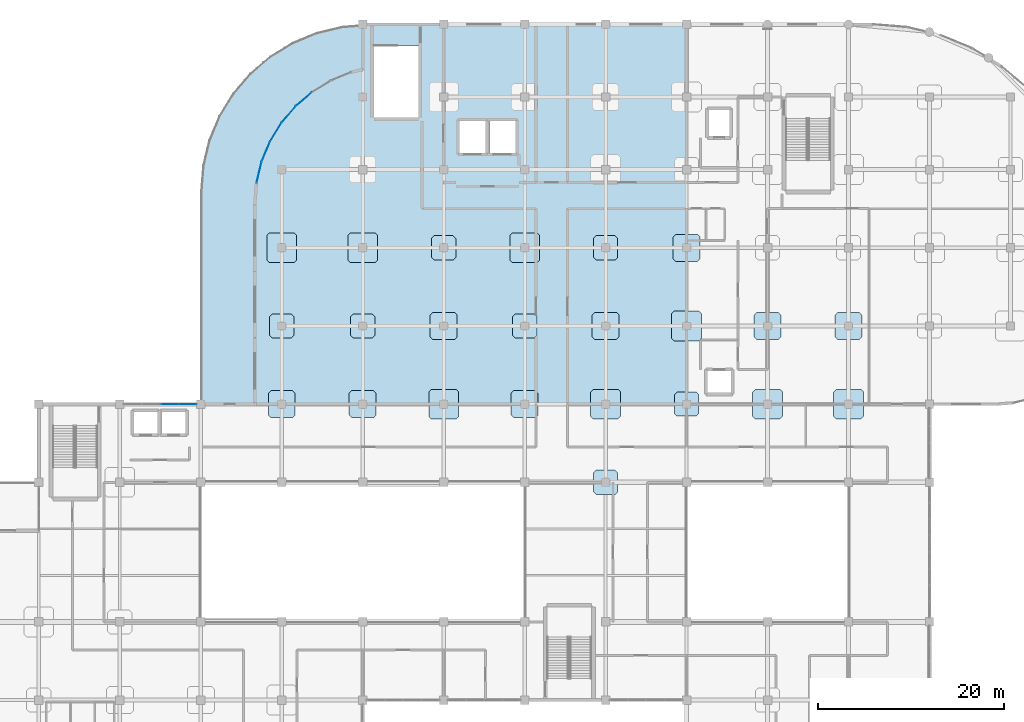
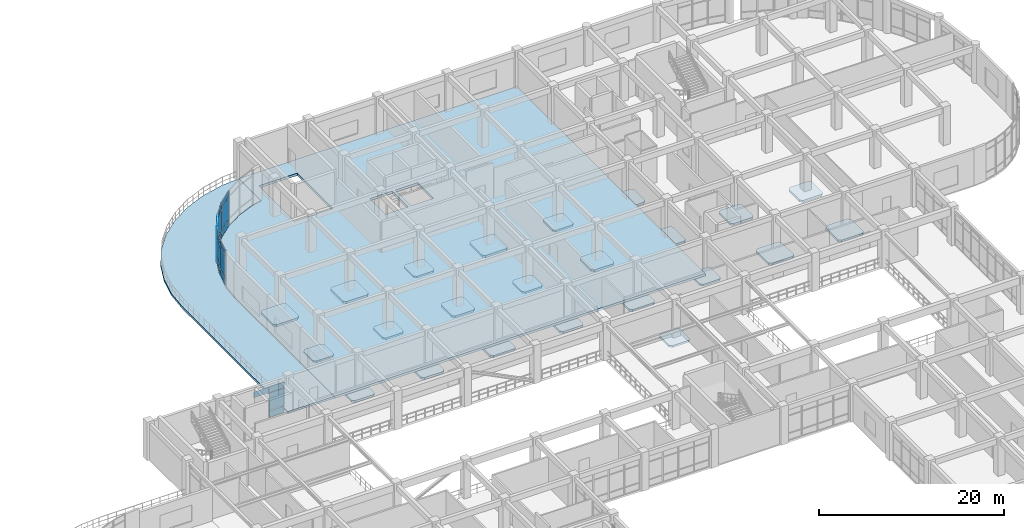
# One storey, part 92 of 120: 25 slabs, 19 plates, 6 elements without a shape of their own.
"""IFC4 building model written with IfcOpenShell, lengths in metres."""

from ifc_helpers import new_model, si_unit, derived_unit, direction, frame, origin, origin_2d, place, context, subcontext, project, spatial, polyline, rectangle, outline, extrude, material, layer, layer_set, type_object, element, aggregate, save


model = new_model("IFC4")

# Units and contexts
model_context = context("Model", 3, precision=1e-05, world=origin(), true_north=direction((0.0, 1.0)))
body_context = subcontext(model_context, "Body", "Model", "MODEL_VIEW")
ifc_project = project(units=[si_unit("LENGTHUNIT", "METRE"), si_unit("AREAUNIT", "SQUARE_METRE"), si_unit("VOLUMEUNIT", "CUBIC_METRE"), si_unit("PLANEANGLEUNIT", "RADIAN"), si_unit("MASSUNIT", "GRAM", prefix="KILO"), derived_unit("THERMALTRANSMITTANCEUNIT", [(si_unit("MASSUNIT", "GRAM", prefix="KILO"), 1), (si_unit("TIMEUNIT", "SECOND"), -3), (si_unit("THERMODYNAMICTEMPERATUREUNIT", "KELVIN"), -1)])], contexts=[model_context])

# Site, building, storey
site_placement = place(None, origin())
site = spatial("IfcSite", under=ifc_project, at=site_placement, CompositionType="ELEMENT")
building_placement = place(site_placement, origin())
building = spatial("IfcBuilding", under=site, at=building_placement, Name="Qinzheling Arcade Emporium", CompositionType="ELEMENT")
storey_placement = place(building_placement, frame((0.0, 0.0, 11.39990234375)))
storey = spatial("IfcBuildingStorey", under=building, at=storey_placement, Name="L03", CompositionType="ELEMENT", Elevation=11.39990234375)

# Slabs
ifc_material_1 = material(Name="Concrete C40", Category="concrete")
ifc_layer_1 = layer(ifc_material_1, 0.235107421875, Name="Concrete C40", Category="concrete")
ifc_layer_set_1 = layer_set([ifc_layer_1], Name="Concrete C40")
slab_type_1 = type_object("IfcSlabType", Name="Column Head Drop Panel 2600x2600x235 C40", PredefinedType="USERDEFINED", material=ifc_layer_set_1)
slab_1_placement = place(storey_placement, frame((0.0, 0.0, -0.544921875)))
element("IfcSlab", 1, at=slab_1_placement, inside=storey, type_object=slab_type_1, Name="Column Drop Panel DP-L03-10-L", ObjectType="DROP_PANEL", PredefinedType="USERDEFINED", context=body_context, shape_type="SweptSolid", body=[
    extrude(outline(polyline([(77.280029296875, 89.300048828125), (79.320068359375, 89.300048828125), (79.60009765625, 89.580078125), (79.60009765625, 91.6201171875), (79.320068359375, 91.89990234375), (77.280029296875, 91.89990234375), (77.0, 91.6201171875), (77.0, 89.580078125), (77.280029296875, 89.300048828125)])), origin(), (0.0, 0.0, 1.0), 0.235107421875),
])
slab_2_placement = place(storey_placement, frame((0.0, 0.0, -0.544921875)))
element("IfcSlab", 2, at=slab_2_placement, inside=storey, type_object=slab_type_1, Name="Column Drop Panel DP-L03-11-K", ObjectType="DROP_PANEL", PredefinedType="USERDEFINED", context=body_context, shape_type="SweptSolid", body=[
    extrude(outline(polyline([(85.97998046875, 80.89990234375), (88.02001953125, 80.89990234375), (88.300048828125, 81.179931640625), (88.300048828125, 83.219970703125), (88.02001953125, 83.5), (85.97998046875, 83.5), (85.699951171875, 83.219970703125), (85.699951171875, 81.179931640625), (85.97998046875, 80.89990234375)])), origin(), (0.0, 0.0, 1.0), 0.235107421875),
])
slab_3_placement = place(storey_placement, frame((0.0, 0.0, -0.514892578125)))
element("IfcSlab", 3, at=slab_3_placement, inside=storey, type_object=slab_type_1, Name="Column Drop Panel DP-L03-12-H", ObjectType="DROP_PANEL", PredefinedType="USERDEFINED", context=body_context, shape_type="SweptSolid", body=[
    extrude(outline(polyline([(94.679931640625, 64.10009765625), (96.719970703125, 64.10009765625), (97.0, 64.3798828125), (97.0, 66.419921875), (96.719970703125, 66.699951171875), (94.679931640625, 66.699951171875), (94.39990234375, 66.419921875), (94.39990234375, 64.3798828125), (94.679931640625, 64.10009765625)])), origin(), (0.0, 0.0, 1.0), 0.235107421875),
])
slab_4_placement = place(storey_placement, frame((0.0, 0.0, -0.544921875)))
element("IfcSlab", 4, at=slab_4_placement, inside=storey, type_object=slab_type_1, Name="Column Drop Panel DP-L03-12-L", ObjectType="DROP_PANEL", PredefinedType="USERDEFINED", context=body_context, shape_type="SweptSolid", body=[
    extrude(outline(polyline([(94.679931640625, 89.300048828125), (96.719970703125, 89.300048828125), (97.0, 89.580078125), (97.0, 91.6201171875), (96.719970703125, 91.89990234375), (94.679931640625, 91.89990234375), (94.39990234375, 91.6201171875), (94.39990234375, 89.580078125), (94.679931640625, 89.300048828125)])), origin(), (0.0, 0.0, 1.0), 0.235107421875),
])
slab_5_placement = place(storey_placement, frame((0.0, 0.0, -0.544921875)))
element("IfcSlab", 5, at=slab_5_placement, inside=storey, type_object=slab_type_1, Name="Column Drop Panel DP-L03-13-J", ObjectType="DROP_PANEL", PredefinedType="USERDEFINED", context=body_context, shape_type="SweptSolid", body=[
    extrude(outline(polyline([(103.3798828125, 72.5), (105.419921875, 72.5), (105.699951171875, 72.780029296875), (105.699951171875, 74.820068359375), (105.419921875, 75.10009765625), (103.3798828125, 75.10009765625), (103.10009765625, 74.820068359375), (103.10009765625, 72.780029296875), (103.3798828125, 72.5)])), origin(), (0.0, 0.0, 1.0), 0.235107421875),
])
slab_6_placement = place(storey_placement, frame((0.0, 0.0, -0.544921875)))
element("IfcSlab", 6, at=slab_6_placement, inside=storey, type_object=slab_type_1, Name="Column Drop Panel DP-L03-8-K", ObjectType="DROP_PANEL", PredefinedType="USERDEFINED", context=body_context, shape_type="SweptSolid", body=[
    extrude(outline(polyline([(59.8798828125, 80.89990234375), (61.919921875, 80.89990234375), (62.199951171875, 81.179931640625), (62.199951171875, 83.219970703125), (61.919921875, 83.5), (59.8798828125, 83.5), (59.60009765625, 83.219970703125), (59.60009765625, 81.179931640625), (59.8798828125, 80.89990234375)])), origin(), (0.0, 0.0, 1.0), 0.235107421875),
])
slab_7_placement = place(storey_placement, frame((0.0, 0.0, -0.544921875)))
element("IfcSlab", 7, at=slab_7_placement, inside=storey, type_object=slab_type_1, Name="Column Drop Panel DP-L03-9-K", ObjectType="DROP_PANEL", PredefinedType="USERDEFINED", context=body_context, shape_type="SweptSolid", body=[
    extrude(outline(polyline([(68.580078125, 80.89990234375), (70.6201171875, 80.89990234375), (70.89990234375, 81.179931640625), (70.89990234375, 83.219970703125), (70.6201171875, 83.5), (68.580078125, 83.5), (68.300048828125, 83.219970703125), (68.300048828125, 81.179931640625), (68.580078125, 80.89990234375)])), origin(), (0.0, 0.0, 1.0), 0.235107421875),
])
ifc_layer_2 = layer(ifc_material_1, 0.27001953125, Name="Concrete C40", Category="concrete")
ifc_layer_set_2 = layer_set([ifc_layer_2], Name="Concrete C40")
slab_type_2 = type_object("IfcSlabType", Name="Column Head Drop Panel 2900x2900x270 C40", PredefinedType="USERDEFINED", material=ifc_layer_set_2)
slab_8_placement = place(storey_placement, frame((0.0, 0.0, -0.579833984375)))
element("IfcSlab", 8, at=slab_8_placement, inside=storey, type_object=slab_type_2, Name="Column Drop Panel DP-L03-10-K", ObjectType="DROP_PANEL", PredefinedType="USERDEFINED", context=body_context, shape_type="SweptSolid", body=[
    extrude(outline(polyline([(77.1298828125, 80.75), (79.469970703125, 80.75), (79.75, 81.030029296875), (79.75, 83.3701171875), (79.469970703125, 83.64990234375), (77.1298828125, 83.64990234375), (76.85009765625, 83.3701171875), (76.85009765625, 81.030029296875), (77.1298828125, 80.75)])), origin(), (0.0, 0.0, 1.0), 0.27001953125),
])
slab_9_placement = place(storey_placement, frame((0.0, 0.0, -0.579833984375)))
element("IfcSlab", 9, at=slab_9_placement, inside=storey, type_object=slab_type_2, Name="Column Drop Panel DP-L03-11-J", ObjectType="DROP_PANEL", PredefinedType="USERDEFINED", context=body_context, shape_type="SweptSolid", body=[
    extrude(outline(polyline([(85.830078125, 72.35009765625), (88.169921875, 72.35009765625), (88.449951171875, 72.6298828125), (88.449951171875, 74.969970703125), (88.169921875, 75.25), (85.830078125, 75.25), (85.550048828125, 74.969970703125), (85.550048828125, 72.6298828125), (85.830078125, 72.35009765625)])), origin(), (0.0, 0.0, 1.0), 0.27001953125),
])
slab_10_placement = place(storey_placement, frame((0.0, 0.0, -0.579833984375)))
element("IfcSlab", 10, at=slab_10_placement, inside=storey, type_object=slab_type_2, Name="Column Drop Panel DP-L03-12-K", ObjectType="DROP_PANEL", PredefinedType="USERDEFINED", context=body_context, shape_type="SweptSolid", body=[
    extrude(outline(polyline([(94.530029296875, 80.75), (96.8701171875, 80.75), (97.14990234375, 81.030029296875), (97.14990234375, 83.3701171875), (96.8701171875, 83.64990234375), (94.530029296875, 83.64990234375), (94.25, 83.3701171875), (94.25, 81.030029296875), (94.530029296875, 80.75)])), origin(), (0.0, 0.0, 1.0), 0.27001953125),
])
slab_11_placement = place(storey_placement, frame((0.0, 0.0, -0.579833984375)))
element("IfcSlab", 11, at=slab_11_placement, inside=storey, type_object=slab_type_2, Name="Column Drop Panel DP-L03-13-L", ObjectType="DROP_PANEL", PredefinedType="USERDEFINED", context=body_context, shape_type="SweptSolid", body=[
    extrude(outline(polyline([(103.22998046875, 89.14990234375), (105.570068359375, 89.14990234375), (105.85009765625, 89.429931640625), (105.85009765625, 91.77001953125), (105.570068359375, 92.050048828125), (103.22998046875, 92.050048828125), (102.949951171875, 91.77001953125), (102.949951171875, 89.429931640625), (103.22998046875, 89.14990234375)])), origin(), (0.0, 0.0, 1.0), 0.27001953125),
])
slab_12_placement = place(storey_placement, frame((0.0, 0.0, -0.534912109375)))
element("IfcSlab", 12, at=slab_12_placement, inside=storey, type_object=slab_type_2, Name="Column Drop Panel DP-L03-14-K", ObjectType="DROP_PANEL", PredefinedType="USERDEFINED", context=body_context, shape_type="SweptSolid", body=[
    extrude(outline(polyline([(111.929931640625, 80.75), (114.27001953125, 80.75), (114.550048828125, 81.030029296875), (114.550048828125, 83.3701171875), (114.27001953125, 83.64990234375), (111.929931640625, 83.64990234375), (111.64990234375, 83.3701171875), (111.64990234375, 81.030029296875), (111.929931640625, 80.75)])), origin(), (0.0, 0.0, 1.0), 0.27001953125),
])
slab_13_placement = place(storey_placement, frame((0.0, 0.0, -0.534912109375)))
element("IfcSlab", 13, at=slab_13_placement, inside=storey, type_object=slab_type_2, Name="Column Drop Panel DP-L03-15-K", ObjectType="DROP_PANEL", PredefinedType="USERDEFINED", context=body_context, shape_type="SweptSolid", body=[
    extrude(outline(polyline([(120.6298828125, 80.75), (122.969970703125, 80.75), (123.25, 81.030029296875), (123.25, 83.3701171875), (122.969970703125, 83.64990234375), (120.6298828125, 83.64990234375), (120.35009765625, 83.3701171875), (120.35009765625, 81.030029296875), (120.6298828125, 80.75)])), origin(), (0.0, 0.0, 1.0), 0.27001953125),
])
slab_14_placement = place(storey_placement, frame((0.0, 0.0, -0.579833984375)))
element("IfcSlab", 14, at=slab_14_placement, inside=storey, type_object=slab_type_2, Name="Column Drop Panel DP-L03-8-J", ObjectType="DROP_PANEL", PredefinedType="USERDEFINED", context=body_context, shape_type="SweptSolid", body=[
    extrude(outline(polyline([(59.72998046875, 72.35009765625), (62.070068359375, 72.35009765625), (62.35009765625, 72.6298828125), (62.35009765625, 74.969970703125), (62.070068359375, 75.25), (59.72998046875, 75.25), (59.449951171875, 74.969970703125), (59.449951171875, 72.6298828125), (59.72998046875, 72.35009765625)])), origin(), (0.0, 0.0, 1.0), 0.27001953125),
])
slab_15_placement = place(storey_placement, frame((0.0, 0.0, -0.579833984375)))
element("IfcSlab", 15, at=slab_15_placement, inside=storey, type_object=slab_type_2, Name="Column Drop Panel DP-L03-9-J", ObjectType="DROP_PANEL", PredefinedType="USERDEFINED", context=body_context, shape_type="SweptSolid", body=[
    extrude(outline(polyline([(68.429931640625, 72.35009765625), (70.77001953125, 72.35009765625), (71.050048828125, 72.6298828125), (71.050048828125, 74.969970703125), (70.77001953125, 75.25), (68.429931640625, 75.25), (68.14990234375, 74.969970703125), (68.14990234375, 72.6298828125), (68.429931640625, 72.35009765625)])), origin(), (0.0, 0.0, 1.0), 0.27001953125),
])
ifc_layer_3 = layer(ifc_material_1, 0.300048828125, Name="Concrete C40", Category="concrete")
ifc_layer_set_3 = layer_set([ifc_layer_3], Name="Concrete C40")
slab_type_3 = type_object("IfcSlabType", Name="Column Head Drop Panel 3200x3200x300 C40", PredefinedType="USERDEFINED", material=ifc_layer_set_3)
slab_16_placement = place(storey_placement, frame((0.0, 0.0, -0.60986328125)))
element("IfcSlab", 16, at=slab_16_placement, inside=storey, type_object=slab_type_3, Name="Column Drop Panel DP-L03-10-J", ObjectType="DROP_PANEL", PredefinedType="USERDEFINED", context=body_context, shape_type="SweptSolid", body=[
    extrude(outline(polyline([(76.97998046875, 72.199951171875), (79.6201171875, 72.199951171875), (79.89990234375, 72.47998046875), (79.89990234375, 75.1201171875), (79.6201171875, 75.39990234375), (76.97998046875, 75.39990234375), (76.699951171875, 75.1201171875), (76.699951171875, 72.47998046875), (76.97998046875, 72.199951171875)])), origin(), (0.0, 0.0, 1.0), 0.300048828125),
])
slab_17_placement = place(storey_placement, frame((0.0, 0.0, -0.60986328125)))
element("IfcSlab", 17, at=slab_17_placement, inside=storey, type_object=slab_type_3, Name="Column Drop Panel DP-L03-11-L", ObjectType="DROP_PANEL", PredefinedType="USERDEFINED", context=body_context, shape_type="SweptSolid", body=[
    extrude(outline(polyline([(85.679931640625, 89.0), (88.320068359375, 89.0), (88.60009765625, 89.280029296875), (88.60009765625, 91.919921875), (88.320068359375, 92.199951171875), (85.679931640625, 92.199951171875), (85.39990234375, 91.919921875), (85.39990234375, 89.280029296875), (85.679931640625, 89.0)])), origin(), (0.0, 0.0, 1.0), 0.300048828125),
])
slab_18_placement = place(storey_placement, frame((0.0, 0.0, -0.60986328125)))
element("IfcSlab", 18, at=slab_18_placement, inside=storey, type_object=slab_type_3, Name="Column Drop Panel DP-L03-12-J", ObjectType="DROP_PANEL", PredefinedType="USERDEFINED", context=body_context, shape_type="SweptSolid", body=[
    extrude(outline(polyline([(94.3798828125, 72.199951171875), (97.02001953125, 72.199951171875), (97.300048828125, 72.47998046875), (97.300048828125, 75.1201171875), (97.02001953125, 75.39990234375), (94.3798828125, 75.39990234375), (94.10009765625, 75.1201171875), (94.10009765625, 72.47998046875), (94.3798828125, 72.199951171875)])), origin(), (0.0, 0.0, 1.0), 0.300048828125),
])
slab_19_placement = place(storey_placement, frame((0.0, 0.0, -0.60986328125)))
element("IfcSlab", 19, at=slab_19_placement, inside=storey, type_object=slab_type_3, Name="Column Drop Panel DP-L03-13-K", ObjectType="DROP_PANEL", PredefinedType="USERDEFINED", context=body_context, shape_type="SweptSolid", body=[
    extrude(outline(polyline([(103.080078125, 80.60009765625), (105.719970703125, 80.60009765625), (106.0, 80.8798828125), (106.0, 83.52001953125), (105.719970703125, 83.800048828125), (103.080078125, 83.800048828125), (102.800048828125, 83.52001953125), (102.800048828125, 80.8798828125), (103.080078125, 80.60009765625)])), origin(), (0.0, 0.0, 1.0), 0.300048828125),
])
slab_20_placement = place(storey_placement, frame((0.0, 0.0, -0.579833984375)))
element("IfcSlab", 20, at=slab_20_placement, inside=storey, type_object=slab_type_3, Name="Column Drop Panel DP-L03-14-J", ObjectType="DROP_PANEL", PredefinedType="USERDEFINED", context=body_context, shape_type="SweptSolid", body=[
    extrude(outline(polyline([(111.780029296875, 72.199951171875), (114.419921875, 72.199951171875), (114.699951171875, 72.47998046875), (114.699951171875, 75.1201171875), (114.419921875, 75.39990234375), (111.780029296875, 75.39990234375), (111.5, 75.1201171875), (111.5, 72.47998046875), (111.780029296875, 72.199951171875)])), origin(), (0.0, 0.0, 1.0), 0.300048828125),
])
slab_21_placement = place(storey_placement, frame((0.0, 0.0, -0.579833984375)))
element("IfcSlab", 21, at=slab_21_placement, inside=storey, type_object=slab_type_3, Name="Column Drop Panel DP-L03-15-J", ObjectType="DROP_PANEL", PredefinedType="USERDEFINED", context=body_context, shape_type="SweptSolid", body=[
    extrude(outline(polyline([(120.47998046875, 72.199951171875), (123.1201171875, 72.199951171875), (123.39990234375, 72.47998046875), (123.39990234375, 75.1201171875), (123.1201171875, 75.39990234375), (120.47998046875, 75.39990234375), (120.199951171875, 75.1201171875), (120.199951171875, 72.47998046875), (120.47998046875, 72.199951171875)])), origin(), (0.0, 0.0, 1.0), 0.300048828125),
])
slab_22_placement = place(storey_placement, frame((0.0, 0.0, -0.60986328125)))
element("IfcSlab", 22, at=slab_22_placement, inside=storey, type_object=slab_type_3, Name="Column Drop Panel DP-L03-8-L", ObjectType="DROP_PANEL", PredefinedType="USERDEFINED", context=body_context, shape_type="SweptSolid", body=[
    extrude(outline(polyline([(59.580078125, 89.0), (62.219970703125, 89.0), (62.5, 89.280029296875), (62.5, 91.919921875), (62.219970703125, 92.199951171875), (59.580078125, 92.199951171875), (59.300048828125, 91.919921875), (59.300048828125, 89.280029296875), (59.580078125, 89.0)])), origin(), (0.0, 0.0, 1.0), 0.300048828125),
])
slab_23_placement = place(storey_placement, frame((0.0, 0.0, -0.60986328125)))
element("IfcSlab", 23, at=slab_23_placement, inside=storey, type_object=slab_type_3, Name="Column Drop Panel DP-L03-9-L", ObjectType="DROP_PANEL", PredefinedType="USERDEFINED", context=body_context, shape_type="SweptSolid", body=[
    extrude(outline(polyline([(68.280029296875, 89.0), (70.919921875, 89.0), (71.199951171875, 89.280029296875), (71.199951171875, 91.919921875), (70.919921875, 92.199951171875), (68.280029296875, 92.199951171875), (68.0, 91.919921875), (68.0, 89.280029296875), (68.280029296875, 89.0)])), origin(), (0.0, 0.0, 1.0), 0.300048828125),
])

# Curtain wall, plates
ifc_material_2 = material(Name="Anodised aluminium and solar-control double glazing", Category="aluminium")
ifc_layer_4 = layer(ifc_material_2, 0.159912109375, Name="Anodised aluminium and solar-control double glazing", Category="aluminium")
ifc_layer_set_4 = layer_set([ifc_layer_4], Name="Anodised aluminium and solar-control double glazing")
curtain_wall_type_1 = type_object("IfcCurtainWallType", Name="Atrium Clerestory Curtain Wall", PredefinedType="NOTDEFINED", material=ifc_layer_set_4)
curtain_wall_1_placement = place(storey_placement, origin())
curtain_wall_1 = element("IfcCurtainWall", 24, at=curtain_wall_1_placement, inside=storey, type_object=curtain_wall_type_1, Name="Curtain Wall CW-L03-174", PredefinedType="NOTDEFINED")
ifc_material_3 = material(Name="Laminated solar-control double glazing", Category="glass")
ifc_layer_5 = layer(ifc_material_3, 0.02099609375, Name="Laminated solar-control double glazing", Category="glass")
ifc_layer_set_5 = layer_set([ifc_layer_5], Name="Laminated solar-control double glazing")
plate_type_1 = type_object("IfcPlateType", Name="Low-E Double Glazed Curtain Panel 21mm", PredefinedType="CURTAIN_PANEL", material=ifc_layer_set_5)
plate_1_placement = place(storey_placement, frame((48.824462890625, 73.800048828125, 3.3349609375), z_axis=(0.0, 0.0, 1.0), x_axis=(1.0, 0.0, 0.0)))
plate_1 = element("IfcPlate", 25, at=plate_1_placement, type_object=plate_type_1, Name="CW03 panel 3.3", PredefinedType="CURTAIN_PANEL", context=body_context, shape_type="SweptSolid", body=[
    extrude(rectangle(XDim=1.888916015625, YDim=0.02099609375, at=origin_2d()), origin(), (0.0, 0.0, 1.0), 0.760009765625),
])
plate_2_placement = place(storey_placement, frame((50.758544921875, 73.800048828125, 0.06005859375), z_axis=(0.0, 0.0, 1.0), x_axis=(1.0, 0.0, 0.0)))
plate_2 = element("IfcPlate", 26, at=plate_2_placement, type_object=plate_type_1, Name="CW03 panel 4.1", PredefinedType="CURTAIN_PANEL", context=body_context, shape_type="SweptSolid", body=[
    extrude(rectangle(XDim=1.85888671875, YDim=0.02099609375, at=origin_2d()), origin(), (0.0, 0.0, 1.0), 0.860107421875),
])
plate_3_placement = place(storey_placement, frame((50.758544921875, 73.800048828125, 0.980224609375), z_axis=(0.0, 0.0, 1.0), x_axis=(1.0, 0.0, 0.0)))
plate_3 = element("IfcPlate", 27, at=plate_3_placement, type_object=plate_type_1, Name="CW03 panel 4.2", PredefinedType="CURTAIN_PANEL", context=body_context, shape_type="SweptSolid", body=[
    extrude(rectangle(XDim=1.85888671875, YDim=0.02099609375, at=origin_2d()), origin(), (0.0, 0.0, 1.0), 2.294921875),
])
plate_4_placement = place(storey_placement, frame((50.758544921875, 73.800048828125, 3.3349609375), z_axis=(0.0, 0.0, 1.0), x_axis=(1.0, 0.0, 0.0)))
plate_4 = element("IfcPlate", 28, at=plate_4_placement, type_object=plate_type_1, Name="CW03 panel 4.3", PredefinedType="CURTAIN_PANEL", context=body_context, shape_type="SweptSolid", body=[
    extrude(rectangle(XDim=1.85888671875, YDim=0.02099609375, at=origin_2d()), origin(), (0.0, 0.0, 1.0), 0.760009765625),
])
aggregate(curtain_wall_1, [plate_1, plate_2, plate_3, plate_4])

ifc_layer_6 = layer(ifc_material_2, 0.159912109375, Name="Anodised aluminium and solar-control double glazing", Category="aluminium")
ifc_layer_set_6 = layer_set([ifc_layer_6], Name="Anodised aluminium and solar-control double glazing")
curtain_wall_type_2 = type_object("IfcCurtainWallType", Name="Curved Ribbon Sales Curtain Wall", PredefinedType="NOTDEFINED", material=ifc_layer_set_6)
curtain_wall_2_placement = place(storey_placement, origin())
curtain_wall_2 = element("IfcCurtainWall", 29, at=curtain_wall_2_placement, inside=storey, type_object=curtain_wall_type_2, Name="Curtain Wall CW-L03-175", PredefinedType="NOTDEFINED")
ifc_layer_7 = layer(ifc_material_3, 0.02197265625, Name="Laminated solar-control double glazing", Category="glass")
ifc_layer_set_7 = layer_set([ifc_layer_7], Name="Laminated solar-control double glazing")
plate_type_2 = type_object("IfcPlateType", Name="Low-E Double Glazed Curtain Panel 22mm", PredefinedType="CURTAIN_PANEL", material=ifc_layer_set_7)
plate_5_placement = place(storey_placement, frame((58.45947265625, 98.69091796875, 0.06005859375), z_axis=(0.0, 0.0, 1.0), x_axis=(0.233324729854, 0.972398874145, 0.0)))
plate_5 = element("IfcPlate", 30, at=plate_5_placement, type_object=plate_type_2, Name="CW02 panel 1.1", PredefinedType="CURTAIN_PANEL", context=body_context, shape_type="SweptSolid", body=[
    extrude(rectangle(XDim=2.23291015625, YDim=0.02197265625, at=origin_2d()), origin(), (0.0, 0.0, 1.0), 0.860107421875),
])
plate_6_placement = place(storey_placement, frame((58.45947265625, 98.69091796875, 0.97998046875), z_axis=(0.0, 0.0, 1.0), x_axis=(0.233324729854, 0.972398874145, 0.0)))
plate_6 = element("IfcPlate", 31, at=plate_6_placement, type_object=plate_type_2, Name="CW02 panel 1.2", PredefinedType="CURTAIN_PANEL", context=body_context, shape_type="SweptSolid", body=[
    extrude(rectangle(XDim=2.23291015625, YDim=0.02197265625, at=origin_2d()), origin(), (0.0, 0.0, 1.0), 2.929931640625),
])
plate_7_placement = place(storey_placement, frame((58.45947265625, 98.69091796875, 3.97021484375), z_axis=(0.0, 0.0, 1.0), x_axis=(0.233324729854, 0.972398874145, 0.0)))
plate_7 = element("IfcPlate", 32, at=plate_7_placement, type_object=plate_type_2, Name="CW02 panel 1.3", PredefinedType="CURTAIN_PANEL", context=body_context, shape_type="SweptSolid", body=[
    extrude(rectangle(XDim=2.23291015625, YDim=0.02197265625, at=origin_2d()), origin(), (0.0, 0.0, 1.0), 0.760009765625),
])
aggregate(curtain_wall_2, [plate_5, plate_6, plate_7])

curtain_wall_3_placement = place(storey_placement, origin())
curtain_wall_3 = element("IfcCurtainWall", 33, at=curtain_wall_3_placement, inside=storey, type_object=curtain_wall_type_2, Name="Curtain Wall CW-L03-176", PredefinedType="NOTDEFINED")
ifc_layer_8 = layer(ifc_material_3, 0.02392578125, Name="Laminated solar-control double glazing", Category="glass")
ifc_layer_set_8 = layer_set([ifc_layer_8], Name="Laminated solar-control double glazing")
plate_type_3 = type_object("IfcPlateType", Name="Low-E Double Glazed Curtain Panel 24mm", PredefinedType="CURTAIN_PANEL", material=ifc_layer_set_8)
plate_8_placement = place(storey_placement, frame((59.1845703125, 100.922607421875, 0.06005859375), z_axis=(0.0, 0.0, 1.0), x_axis=(0.382714431752, 0.923866691535, 0.0)))
plate_8 = element("IfcPlate", 34, at=plate_8_placement, type_object=plate_type_3, Name="CW02 panel 1.1", PredefinedType="CURTAIN_PANEL", context=body_context, shape_type="SweptSolid", body=[
    extrude(rectangle(XDim=2.234130859375, YDim=0.02392578125, at=origin_2d()), origin(), (0.0, 0.0, 1.0), 0.860107421875),
])
plate_9_placement = place(storey_placement, frame((59.1845703125, 100.922607421875, 0.97998046875), z_axis=(0.0, 0.0, 1.0), x_axis=(0.382714431752, 0.923866691535, 0.0)))
plate_9 = element("IfcPlate", 35, at=plate_9_placement, type_object=plate_type_3, Name="CW02 panel 1.2", PredefinedType="CURTAIN_PANEL", context=body_context, shape_type="SweptSolid", body=[
    extrude(rectangle(XDim=2.234130859375, YDim=0.02392578125, at=origin_2d()), origin(), (0.0, 0.0, 1.0), 2.929931640625),
])
plate_10_placement = place(storey_placement, frame((59.1845703125, 100.922607421875, 3.97021484375), z_axis=(0.0, 0.0, 1.0), x_axis=(0.382714431752, 0.923866691535, 0.0)))
plate_10 = element("IfcPlate", 36, at=plate_10_placement, type_object=plate_type_3, Name="CW02 panel 1.3", PredefinedType="CURTAIN_PANEL", context=body_context, shape_type="SweptSolid", body=[
    extrude(rectangle(XDim=2.234130859375, YDim=0.02392578125, at=origin_2d()), origin(), (0.0, 0.0, 1.0), 0.760009765625),
])
aggregate(curtain_wall_3, [plate_8, plate_9, plate_10])

curtain_wall_4_placement = place(storey_placement, origin())
curtain_wall_4 = element("IfcCurtainWall", 37, at=curtain_wall_4_placement, inside=storey, type_object=curtain_wall_type_2, Name="Curtain Wall CW-L03-177", PredefinedType="NOTDEFINED")
ifc_layer_9 = layer(ifc_material_3, 0.02490234375, Name="Laminated solar-control double glazing", Category="glass")
ifc_layer_set_9 = layer_set([ifc_layer_9], Name="Laminated solar-control double glazing")
plate_type_4 = type_object("IfcPlateType", Name="Low-E Double Glazed Curtain Panel 25mm", PredefinedType="CURTAIN_PANEL", material=ifc_layer_set_9)
plate_11_placement = place(storey_placement, frame((60.25, 103.013427734375, 0.06005859375), z_axis=(0.0, 0.0, 1.0), x_axis=(0.522532172191, 0.852619568756, 0.0)))
plate_11 = element("IfcPlate", 38, at=plate_11_placement, type_object=plate_type_4, Name="CW02 panel 1.1", PredefinedType="CURTAIN_PANEL", context=body_context, shape_type="SweptSolid", body=[
    extrude(rectangle(XDim=2.23388671875, YDim=0.02490234375, at=origin_2d()), origin(), (0.0, 0.0, 1.0), 0.860107421875),
])
plate_12_placement = place(storey_placement, frame((60.25, 103.013427734375, 0.97998046875), z_axis=(0.0, 0.0, 1.0), x_axis=(0.522532172191, 0.852619568756, 0.0)))
plate_12 = element("IfcPlate", 39, at=plate_12_placement, type_object=plate_type_4, Name="CW02 panel 1.2", PredefinedType="CURTAIN_PANEL", context=body_context, shape_type="SweptSolid", body=[
    extrude(rectangle(XDim=2.23388671875, YDim=0.02490234375, at=origin_2d()), origin(), (0.0, 0.0, 1.0), 2.929931640625),
])
plate_13_placement = place(storey_placement, frame((60.25, 103.013427734375, 3.97021484375), z_axis=(0.0, 0.0, 1.0), x_axis=(0.522532172191, 0.852619568756, 0.0)))
plate_13 = element("IfcPlate", 40, at=plate_13_placement, type_object=plate_type_4, Name="CW02 panel 1.3", PredefinedType="CURTAIN_PANEL", context=body_context, shape_type="SweptSolid", body=[
    extrude(rectangle(XDim=2.23388671875, YDim=0.02490234375, at=origin_2d()), origin(), (0.0, 0.0, 1.0), 0.760009765625),
])
aggregate(curtain_wall_4, [plate_11, plate_12, plate_13])

curtain_wall_5_placement = place(storey_placement, origin())
curtain_wall_5 = element("IfcCurtainWall", 41, at=curtain_wall_5_placement, inside=storey, type_object=curtain_wall_type_2, Name="Curtain Wall CW-L03-178", PredefinedType="NOTDEFINED")
ifc_layer_10 = layer(ifc_material_3, 0.02587890625, Name="Laminated solar-control double glazing", Category="glass")
ifc_layer_set_10 = layer_set([ifc_layer_10], Name="Laminated solar-control double glazing")
plate_type_5 = type_object("IfcPlateType", Name="Low-E Double Glazed Curtain Panel 26mm", PredefinedType="CURTAIN_PANEL", material=ifc_layer_set_10)
plate_14_placement = place(storey_placement, frame((61.62890625, 104.912109375, 0.06005859375), z_axis=(0.0, 0.0, 1.0), x_axis=(0.649250390185, 0.760574737185, 0.0)))
plate_14 = element("IfcPlate", 42, at=plate_14_placement, type_object=plate_type_5, Name="CW02 panel 1.1", PredefinedType="CURTAIN_PANEL", context=body_context, shape_type="SweptSolid", body=[
    extrude(rectangle(XDim=2.2333984375, YDim=0.02587890625, at=origin_2d()), origin(), (0.0, 0.0, 1.0), 0.860107421875),
])
plate_15_placement = place(storey_placement, frame((61.62890625, 104.912109375, 0.97998046875), z_axis=(0.0, 0.0, 1.0), x_axis=(0.649250390185, 0.760574737185, 0.0)))
plate_15 = element("IfcPlate", 43, at=plate_15_placement, type_object=plate_type_5, Name="CW02 panel 1.2", PredefinedType="CURTAIN_PANEL", context=body_context, shape_type="SweptSolid", body=[
    extrude(rectangle(XDim=2.2333984375, YDim=0.02587890625, at=origin_2d()), origin(), (0.0, 0.0, 1.0), 2.929931640625),
])
plate_16_placement = place(storey_placement, frame((61.62890625, 104.912109375, 3.97021484375), z_axis=(0.0, 0.0, 1.0), x_axis=(0.649250390185, 0.760574737185, 0.0)))
plate_16 = element("IfcPlate", 44, at=plate_16_placement, type_object=plate_type_5, Name="CW02 panel 1.3", PredefinedType="CURTAIN_PANEL", context=body_context, shape_type="SweptSolid", body=[
    extrude(rectangle(XDim=2.2333984375, YDim=0.02587890625, at=origin_2d()), origin(), (0.0, 0.0, 1.0), 0.760009765625),
])
aggregate(curtain_wall_5, [plate_14, plate_15, plate_16])

curtain_wall_6_placement = place(storey_placement, origin())
curtain_wall_6 = element("IfcCurtainWall", 45, at=curtain_wall_6_placement, inside=storey, type_object=curtain_wall_type_2, Name="Curtain Wall CW-L03-179", PredefinedType="NOTDEFINED")
ifc_layer_11 = layer(ifc_material_3, 0.027099609375, Name="Laminated solar-control double glazing", Category="glass")
ifc_layer_set_11 = layer_set([ifc_layer_11], Name="Laminated solar-control double glazing")
plate_type_6 = type_object("IfcPlateType", Name="Low-E Double Glazed Curtain Panel 27mm", PredefinedType="CURTAIN_PANEL", material=ifc_layer_set_11)
plate_17_placement = place(storey_placement, frame((63.2880859375, 106.571044921875, 0.06005859375), z_axis=(0.0, 0.0, 1.0), x_axis=(0.760574737185, 0.649250390185, 0.0)))
plate_17 = element("IfcPlate", 46, at=plate_17_placement, type_object=plate_type_6, Name="CW02 panel 1.1", PredefinedType="CURTAIN_PANEL", context=body_context, shape_type="SweptSolid", body=[
    extrude(rectangle(XDim=2.2333984375, YDim=0.027099609375, at=origin_2d()), origin(), (0.0, 0.0, 1.0), 0.860107421875),
])
plate_18_placement = place(storey_placement, frame((63.2880859375, 106.571044921875, 0.97998046875), z_axis=(0.0, 0.0, 1.0), x_axis=(0.760574737185, 0.649250390185, 0.0)))
plate_18 = element("IfcPlate", 47, at=plate_18_placement, type_object=plate_type_6, Name="CW02 panel 1.2", PredefinedType="CURTAIN_PANEL", context=body_context, shape_type="SweptSolid", body=[
    extrude(rectangle(XDim=2.2333984375, YDim=0.027099609375, at=origin_2d()), origin(), (0.0, 0.0, 1.0), 2.929931640625),
])
plate_19_placement = place(storey_placement, frame((63.2880859375, 106.571044921875, 3.97021484375), z_axis=(0.0, 0.0, 1.0), x_axis=(0.760574737185, 0.649250390185, 0.0)))
plate_19 = element("IfcPlate", 48, at=plate_19_placement, type_object=plate_type_6, Name="CW02 panel 1.3", PredefinedType="CURTAIN_PANEL", context=body_context, shape_type="SweptSolid", body=[
    extrude(rectangle(XDim=2.2333984375, YDim=0.027099609375, at=origin_2d()), origin(), (0.0, 0.0, 1.0), 0.760009765625),
])
aggregate(curtain_wall_6, [plate_17, plate_18, plate_19])

# Slabs
ifc_layer_12 = layer(ifc_material_1, 0.27490234375, Name="Concrete C40", Category="concrete")
ifc_layer_set_12 = layer_set([ifc_layer_12], Name="Concrete C40")
slab_type_4 = type_object("IfcSlabType", Name="Planted Court Terrace Slab 275 C40", PredefinedType="FLOOR", material=ifc_layer_set_12)
slab_24_placement = place(storey_placement, frame((0.0, 0.0, -0.27490234375)))
element("IfcSlab", 49, at=slab_24_placement, inside=storey, type_object=slab_type_4, Name="Outdoor Terrace SLB-TR-V5-L03", PredefinedType="FLOOR", context=body_context, shape_type="SweptSolid", body=[
    extrude(outline(polyline([(52.199951171875, 73.800048828125), (58.0, 73.800048828125), (58.0, 95.199951171875), (58.18505859375, 97.547119140625), (58.73388671875, 99.8349609375), (59.635009765625, 102.010009765625), (60.864990234375, 104.01708984375), (62.39306640625, 105.806884765625), (64.18310546875, 107.3349609375), (66.18994140625, 108.56494140625), (68.364990234375, 109.466064453125), (69.60009765625, 109.761962890625), (69.60009765625, 114.552978515625), (67.384033203125, 114.3779296875), (64.637939453125, 113.718994140625), (62.028076171875, 112.637939453125), (59.6201171875, 111.162109375), (57.471923828125, 109.327880859375), (55.637939453125, 107.179931640625), (54.162109375, 104.77197265625), (53.0810546875, 102.162109375), (52.422119140625, 99.416015625), (52.199951171875, 96.60009765625), (52.199951171875, 73.800048828125)])), origin(), (0.0, 0.0, 1.0), 0.27490234375),
])
ifc_layer_13 = layer(ifc_material_1, 0.31005859375, Name="Concrete C40", Category="concrete")
ifc_layer_set_13 = layer_set([ifc_layer_13], Name="Concrete C40")
slab_type_5 = type_object("IfcSlabType", Name="Stockroom Heavy Flat Slab 310 C40", PredefinedType="FLOOR", material=ifc_layer_set_13)
slab_25_placement = place(storey_placement, frame((0.0, 0.0, -0.309814453125)))
element("IfcSlab", 50, at=slab_25_placement, inside=storey, type_object=slab_type_5, Name="Floor Slab SLB-L03-V5", PredefinedType="FLOOR", context=body_context, shape_type="SweptSolid", body=[
    extrude(outline(polyline([(69.60009765625, 73.800048828125), (104.39990234375, 73.800048828125), (104.39990234375, 110.199951171875), (104.39990234375, 114.60009765625), (69.60009765625, 114.60009765625), (69.60009765625, 109.761962890625), (68.364990234375, 109.466064453125), (66.18994140625, 108.56494140625), (64.18310546875, 107.3349609375), (62.39306640625, 105.806884765625), (60.864990234375, 104.01708984375), (59.635009765625, 102.010009765625), (58.73388671875, 99.8349609375), (58.18505859375, 97.547119140625), (58.0, 95.199951171875), (58.0, 73.800048828125), (69.60009765625, 73.800048828125)]), holes=[polyline([(83.199951171875, 100.800048828125), (83.199951171875, 104.199951171875), (86.0, 104.199951171875), (86.0, 100.800048828125), (83.199951171875, 100.800048828125)]), polyline([(82.800048828125, 100.800048828125), (80.0, 100.800048828125), (80.0, 104.199951171875), (82.800048828125, 104.199951171875), (82.800048828125, 100.800048828125)]), polyline([(75.590087890625, 104.60009765625), (70.800048828125, 104.60009765625), (70.800048828125, 112.27490234375), (75.590087890625, 112.27490234375), (75.590087890625, 104.60009765625)])]), origin(), (0.0, 0.0, 1.0), 0.309814453125),
])

save(model, "model.ifc")
